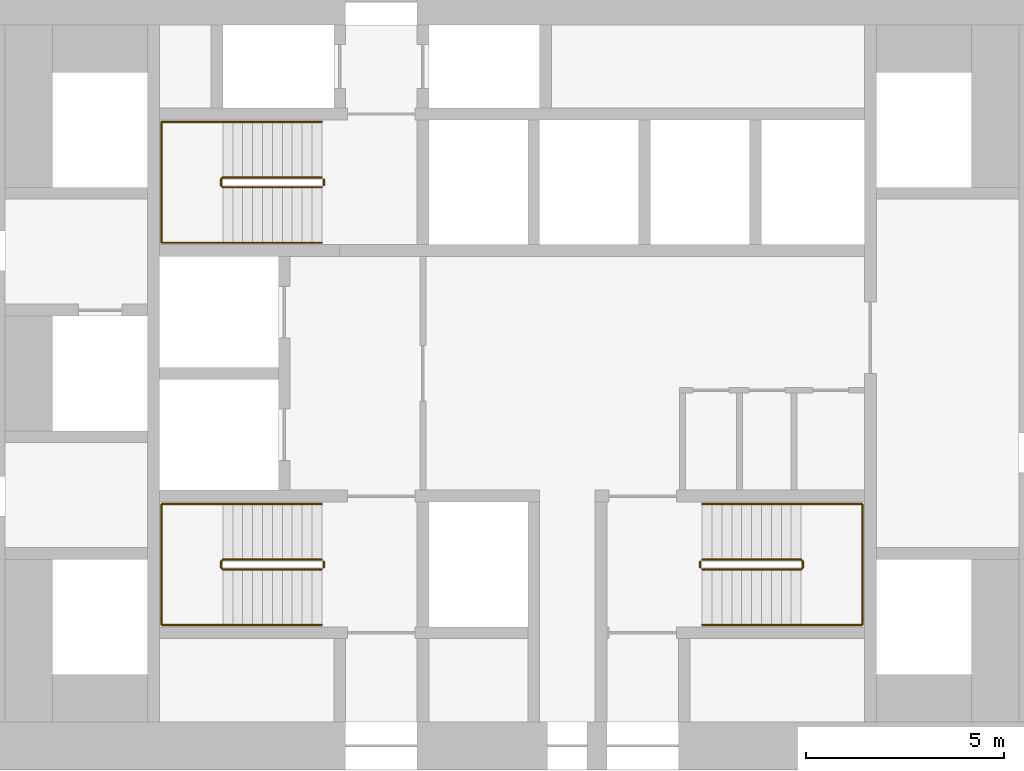
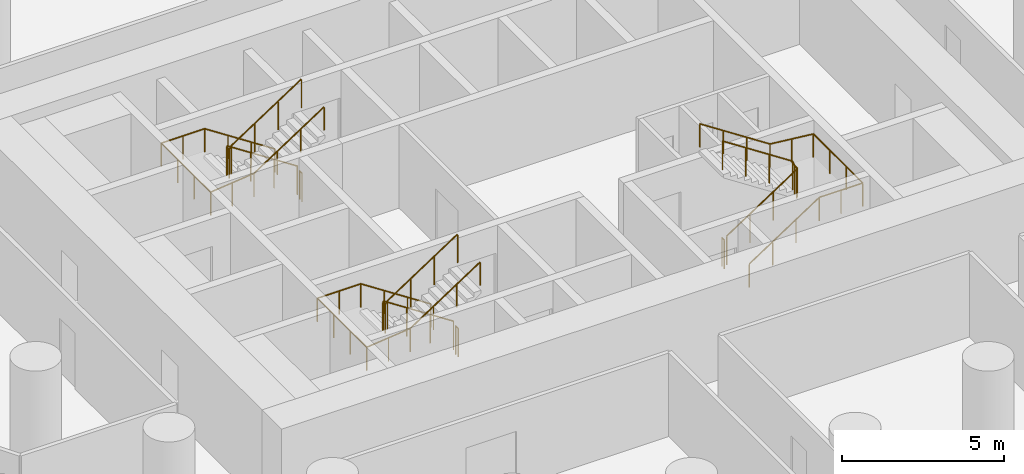
# One storey, part 12 of 12: 9 railings.
"""IFC4 building model written with IfcOpenShell, lengths in metres."""

import ifcopenshell
import ifcopenshell.guid

model = None  # the IFC model being written
_history = None  # IfcOwnerHistory: only IFC2X3 demands one
_inside = {}  # id of a spatial element -> (the spatial element, [elements in it])
_under = {}  # id of a project, library or spatial element -> (it, [spatial elements below it])
_declared = {}  # id of a project -> (the project, [libraries it declares])
_typed = {}  # id of a type object -> (the type object, [elements of that type])
_made_of = {}  # id of a material, layer set ... -> (it, [elements and type objects made of it])


def new_model(schema):
    """Start an empty IFC model of exactly this schema.

    Asked for "IFC4X3", IfcOpenShell would pick the latest addendum, in which some entities
    have other attributes; the version numbers below select the first issue.
    IFC2X3 requires an IfcOwnerHistory on every rooted entity: one is made here for all.
    """
    global model, _history
    if schema == "IFC4X3":
        model = ifcopenshell.file(schema_version=(4, 3, 0, 0))
    else:
        model = ifcopenshell.file(schema=schema)
    _inside.clear()
    _under.clear()
    _declared.clear()
    _typed.clear()
    _made_of.clear()
    _history = None
    if model.schema == "IFC2X3":
        org = make("IfcOrganization", Name="unknown")
        user = make(
            "IfcPersonAndOrganization",
            ThePerson=make("IfcPerson", FamilyName="unknown"),
            TheOrganization=org,
        )
        app = make(
            "IfcApplication",
            ApplicationDeveloper=org,
            Version="unknown",
            ApplicationFullName="unknown",
            ApplicationIdentifier="unknown",
        )
        _history = make(
            "IfcOwnerHistory",
            OwningUser=user,
            OwningApplication=app,
            ChangeAction="ADDED",
            CreationDate=0,
        )
    return model


def make(cls, **values):
    """One entity of the class cls with the attributes given. An attribute that is None is left unset."""
    return model.create_entity(
        cls, **{name: value for name, value in values.items() if value is not None}
    )


def rooted(cls, **values):
    """An entity with a GlobalId (a new one), such as an element, a storey or a relation."""
    return make(cls, GlobalId=ifcopenshell.guid.new(), OwnerHistory=_history, **values)


def si_unit(unit_type, name, prefix=None):
    """IfcSIUnit, for example si_unit("LENGTHUNIT", "METRE", prefix="MILLI")."""
    return make("IfcSIUnit", UnitType=unit_type, Prefix=prefix, Name=name)


def assignment(units):
    """IfcUnitAssignment: the units of a project."""
    return None if units is None else make("IfcUnitAssignment", Units=units)


def point(xyz):
    """IfcCartesianPoint."""
    return None if xyz is None else make("IfcCartesianPoint", Coordinates=xyz)


def direction(xyz):
    """IfcDirection."""
    return None if xyz is None else make("IfcDirection", DirectionRatios=xyz)


def frame(location, z_axis=None, x_axis=None):
    """IfcAxis2Placement3D, a coordinate frame: its origin and axes. An axis left out is left unset."""
    return make(
        "IfcAxis2Placement3D",
        Location=point(location),
        Axis=direction(z_axis),
        RefDirection=direction(x_axis),
    )


def frame_2d(location, x_axis=None):
    """IfcAxis2Placement2D, a coordinate frame in the plane: its origin and x axis."""
    return make(
        "IfcAxis2Placement2D", Location=point(location), RefDirection=direction(x_axis)
    )


def origin():
    """The frame at (0, 0, 0) with its axes left unset."""
    return frame((0.0, 0.0, 0.0))


def origin_2d():
    """The frame at (0, 0) in the plane with its x axis left unset."""
    return frame_2d((0.0, 0.0))


def place(relative_to, where):
    """IfcLocalPlacement: puts the frame where relative to a parent placement (None: the world)."""
    return make(
        "IfcLocalPlacement", PlacementRelTo=relative_to, RelativePlacement=where
    )


def context(
    kind, dimensions, precision=None, world=None, true_north=None, identifier=None
):
    """IfcGeometricRepresentationContext, for example the 3D "Model" context."""
    return make(
        "IfcGeometricRepresentationContext",
        ContextIdentifier=identifier,
        ContextType=kind,
        CoordinateSpaceDimension=dimensions,
        Precision=precision,
        WorldCoordinateSystem=world,
        TrueNorth=true_north,
    )


def subcontext(parent, identifier, kind, view, scale=None):
    """IfcGeometricRepresentationSubContext, for example "Body" below "Model"."""
    return make(
        "IfcGeometricRepresentationSubContext",
        ContextIdentifier=identifier,
        ContextType=kind,
        ParentContext=parent,
        TargetScale=scale,
        TargetView=view,
    )


def project(units=None, contexts=None):
    """IfcProject with its units and contexts."""
    return rooted(
        "IfcProject",
        Name="project",
        RepresentationContexts=contexts,
        UnitsInContext=assignment(units),
    )


def spatial(cls, under=None, at=None, **own):
    """A site, building, storey or space (cls), placed at a placement, below another one or the project."""
    s = rooted(cls, ObjectPlacement=at, **own)
    if under is not None:
        _under.setdefault(under.id(), (under, []))[1].append(s)
    return s


def profile(cls, at=None, kind="AREA", **sizes):
    """A parametric profile (cls). Its sizes go by their IFC names, for example OverallWidth=200.0."""
    return make(cls, ProfileType=kind, Position=at, **sizes)


def circle(**sizes):
    """IfcCircleProfileDef."""
    return profile("IfcCircleProfileDef", **sizes)


def extrude(swept, where, along, depth):
    """IfcExtrudedAreaSolid: the profile swept, set in the frame where, extruded along a direction by depth."""
    return make(
        "IfcExtrudedAreaSolid",
        SweptArea=swept,
        Position=where,
        ExtrudedDirection=direction(along),
        Depth=depth,
    )


def shape(context_of_items, identifier, shape_type, items):
    """IfcShapeRepresentation: the items that make up one representation, for example the "Body"."""
    return make(
        "IfcShapeRepresentation",
        ContextOfItems=context_of_items,
        RepresentationIdentifier=identifier,
        RepresentationType=shape_type,
        Items=items,
    )


def material(Name=None, Category=None):
    """IfcMaterial."""
    return make("IfcMaterial", Name=Name, Category=Category)


def made_of(thing, what):
    """Note that an element or type object is made of a material, layer set ...; save() writes the relation."""
    if what is not None:
        _made_of.setdefault(what.id(), (what, []))[1].append(thing)
    return thing


def type_object(cls, material=None, **own):
    """A type object (cls), such as IfcWallType, which elements share."""
    return made_of(rooted(cls, **own), material)


def element(
    cls,
    number,
    at=None,
    inside=None,
    cuts=None,
    type_object=None,
    material=None,
    context=None,
    identifier="Body",
    shape_type=None,
    held_by="IfcProductDefinitionShape",
    body=None,
    shapes=None,
    **own,
):
    """One element of the class cls, such as IfcWall. Its Tag is "e" and its number.

    at: its placement. inside: the storey or other place that contains it. cuts: it is an
    opening in that element (IfcRelVoidsElement). A single representation is given by context,
    identifier, shape_type and body (its items); several are given by shapes. held_by: the class
    of the entity that holds the representations. save() writes the other relations.
    """
    e = rooted(cls, Tag="e%d" % number, ObjectPlacement=at, **own)
    if body is not None:
        shapes = [shape(context, identifier, shape_type, body)]
    if shapes is not None:
        e.Representation = make(held_by, Representations=shapes)
    if inside is not None:
        _inside.setdefault(inside.id(), (inside, []))[1].append(e)
    if cuts is not None:
        rooted(
            "IfcRelVoidsElement", RelatingBuildingElement=cuts, RelatedOpeningElement=e
        )
    if type_object is not None:
        _typed.setdefault(type_object.id(), (type_object, []))[1].append(e)
    return made_of(e, material)


def aggregate(whole, parts):
    """IfcRelAggregates: a whole, such as a stair, and the parts it consists of."""
    return rooted("IfcRelAggregates", RelatingObject=whole, RelatedObjects=parts)


def save(model, path):
    """Write the relations noted so far, then the file.

    IfcRelAggregates (storeys below a building ...), IfcRelContainedInSpatialStructure (elements
    in a storey), IfcRelDefinesByType, IfcRelAssociatesMaterial and IfcRelDeclares: one each for
    every whole, place, type object, material and project.
    """
    for whole, parts in _under.values():
        aggregate(whole, parts)
    for where, things in _inside.values():
        rooted(
            "IfcRelContainedInSpatialStructure",
            RelatedElements=things,
            RelatingStructure=where,
        )
    for kind, things in _typed.values():
        rooted("IfcRelDefinesByType", RelatedObjects=things, RelatingType=kind)
    for what, things in _made_of.values():
        rooted("IfcRelAssociatesMaterial", RelatedObjects=things, RelatingMaterial=what)
    for by, libraries in _declared.values():
        rooted("IfcRelDeclares", RelatingContext=by, RelatedDefinitions=libraries)
    model.write(path)


model = new_model("IFC4")

# Units and contexts
model_context = context("Model", 3, precision=1e-05, world=origin(), true_north=direction((0.0, 1.0)))
body_context = subcontext(model_context, "Body", "Model", "MODEL_VIEW")
ifc_project = project(units=[si_unit("LENGTHUNIT", "METRE"), si_unit("AREAUNIT", "SQUARE_METRE"), si_unit("VOLUMEUNIT", "CUBIC_METRE"), si_unit("PLANEANGLEUNIT", "RADIAN"), si_unit("MASSUNIT", "GRAM", prefix="KILO")], contexts=[model_context])

# Site, building, storey
site_placement = place(None, origin())
site = spatial("IfcSite", under=ifc_project, at=site_placement, CompositionType="ELEMENT")
building_placement = place(site_placement, origin())
building = spatial("IfcBuilding", under=site, at=building_placement, Name="Tracery Tower", CompositionType="ELEMENT")
storey_placement = place(building_placement, frame((0.0, 0.0, 31.800048828125)))
storey = spatial("IfcBuildingStorey", under=building, at=storey_placement, Name="L06", CompositionType="ELEMENT", Elevation=31.800048828125)

# Railings
ifc_material_1 = material(Name="Stainless steel and laminated glass", Category="steel")
railing_type_1 = type_object("IfcRailingType", Name="Stair guard 1100", PredefinedType="GUARDRAIL", material=ifc_material_1)
railing_1_placement = place(storey_placement, frame((-4.800048828125, -4.699951171875, 0.16357421875)))
element("IfcRailing", 1, at=railing_1_placement, inside=storey, type_object=railing_type_1, Name="L06 stair ST1 guard 1", PredefinedType="GUARDRAIL", context=body_context, shape_type="SweptSolid", body=[
    extrude(circle(Radius=0.02392578125, at=origin_2d()), frame((0.0, 0.0, 1.076171875), z_axis=(-0.83668449804, 0.0, 0.54768517484), x_axis=(0.0, -1.0, 0.0)), (0.0, 0.0, 1.0), 2.988037109375),
    extrude(circle(Radius=0.02392578125, at=origin_2d()), frame((-2.5, 0.0, 2.71240234375), z_axis=(-0.707106781187, -0.707106781187, 0.0), x_axis=(0.707106781187, -0.707106781187, 0.0)), (0.0, 0.0, 1.0), 0.07080078125),
    extrude(circle(Radius=0.02392578125, at=origin_2d()), frame((-2.550048828125, -0.050048828125, 2.71240234375), z_axis=(0.0, -1.0, 0.0), x_axis=(1.0, 0.0, 0.0)), (0.0, 0.0, 1.0), 0.14990234375),
    extrude(circle(Radius=0.02392578125, at=origin_2d()), frame((-2.550048828125, -0.199951171875, 2.71240234375), z_axis=(0.280808744504, -0.280808744504, 0.917765164963), x_axis=(0.707106781187, 0.707106781187, 0.0)), (0.0, 0.0, 1.0), 0.17822265625),
    extrude(circle(Radius=0.02392578125, at=origin_2d()), frame((-2.5, -0.25, 2.8759765625), z_axis=(0.836721939367, 0.0, 0.547627972425), x_axis=(0.0, 1.0, 0.0)), (0.0, 0.0, 1.0), 2.98779296875),
    extrude(circle(Radius=0.02099609375, at=origin_2d()), origin(), (0.0, 0.0, 1.0), 1.052001953125),
    extrude(circle(Radius=0.02099609375, at=origin_2d()), frame((-0.833251953125, 0.0, 0.54541015625)), (0.0, 0.0, 1.0), 1.052001953125),
    extrude(circle(Radius=0.02099609375, at=origin_2d()), frame((-1.666748046875, 0.0, 1.091064453125)), (0.0, 0.0, 1.0), 1.052001953125),
    extrude(circle(Radius=0.02099609375, at=origin_2d()), frame((-2.5, 0.0, 1.636474609375)), (0.0, 0.0, 1.0), 1.052001953125),
    extrude(circle(Radius=0.02099609375, at=origin_2d()), frame((-2.550048828125, -0.050048828125, 1.636474609375)), (0.0, 0.0, 1.0), 1.052001953125),
    extrude(circle(Radius=0.02099609375, at=origin_2d()), frame((-2.550048828125, -0.199951171875, 1.636474609375)), (0.0, 0.0, 1.0), 1.052001953125),
    extrude(circle(Radius=0.02099609375, at=origin_2d()), frame((-2.5, -0.25, 1.800048828125)), (0.0, 0.0, 1.0), 1.052001953125),
    extrude(circle(Radius=0.02099609375, at=origin_2d()), frame((-1.666748046875, -0.25, 2.345458984375)), (0.0, 0.0, 1.0), 1.052001953125),
    extrude(circle(Radius=0.02099609375, at=origin_2d()), frame((-0.833251953125, -0.25, 2.890869140625)), (0.0, 0.0, 1.0), 1.052001953125),
    extrude(circle(Radius=0.02099609375, at=origin_2d()), frame((0.0, -0.25, 3.436279296875)), (0.0, 0.0, 1.0), 1.052001953125),
])
railing_2_placement = place(storey_placement, frame((-4.75, -4.75, 0.0)))
element("IfcRailing", 2, at=railing_2_placement, inside=storey, type_object=railing_type_1, Name="L06 stair ST1 guard 2", PredefinedType="GUARDRAIL", context=body_context, shape_type="SweptSolid", body=[
    extrude(circle(Radius=0.02392578125, at=origin_2d()), frame((0.0, 0.0, 1.076171875), z_axis=(0.0, -1.0, 0.0), x_axis=(1.0, 0.0, 0.0)), (0.0, 0.0, 1.0), 0.14990234375),
    extrude(circle(Radius=0.02099609375, at=origin_2d()), origin(), (0.0, 0.0, 1.0), 1.052001953125),
    extrude(circle(Radius=0.02099609375, at=origin_2d()), frame((0.0, -0.14990234375, 0.0)), (0.0, 0.0, 1.0), 1.052001953125),
])
railing_3_placement = place(storey_placement, frame((-4.800048828125, 4.949951171875, 0.16357421875)))
element("IfcRailing", 3, at=railing_3_placement, inside=storey, type_object=railing_type_1, Name="L06 stair ST3 guard 1", PredefinedType="GUARDRAIL", context=body_context, shape_type="SweptSolid", body=[
    extrude(circle(Radius=0.02392578125, at=origin_2d()), frame((0.0, 0.0, 1.076171875), z_axis=(-0.83668449804, 0.0, 0.54768517484), x_axis=(0.0, -1.0, 0.0)), (0.0, 0.0, 1.0), 2.988037109375),
    extrude(circle(Radius=0.02392578125, at=origin_2d()), frame((-2.5, 0.0, 2.71240234375), z_axis=(-0.707106781187, -0.707106781187, 0.0), x_axis=(0.707106781187, -0.707106781187, 0.0)), (0.0, 0.0, 1.0), 0.07080078125),
    extrude(circle(Radius=0.02392578125, at=origin_2d()), frame((-2.550048828125, -0.050048828125, 2.71240234375), z_axis=(0.0, -1.0, 0.0), x_axis=(1.0, 0.0, 0.0)), (0.0, 0.0, 1.0), 0.14990234375),
    extrude(circle(Radius=0.02392578125, at=origin_2d()), frame((-2.550048828125, -0.199951171875, 2.71240234375), z_axis=(0.280808744504, -0.280808744504, 0.917765164963), x_axis=(0.707106781187, 0.707106781187, 0.0)), (0.0, 0.0, 1.0), 0.17822265625),
    extrude(circle(Radius=0.02392578125, at=origin_2d()), frame((-2.5, -0.25, 2.8759765625), z_axis=(0.836721939367, 0.0, 0.547627972425), x_axis=(0.0, 1.0, 0.0)), (0.0, 0.0, 1.0), 2.98779296875),
    extrude(circle(Radius=0.02099609375, at=origin_2d()), origin(), (0.0, 0.0, 1.0), 1.052001953125),
    extrude(circle(Radius=0.02099609375, at=origin_2d()), frame((-0.833251953125, 0.0, 0.54541015625)), (0.0, 0.0, 1.0), 1.052001953125),
    extrude(circle(Radius=0.02099609375, at=origin_2d()), frame((-1.666748046875, 0.0, 1.091064453125)), (0.0, 0.0, 1.0), 1.052001953125),
    extrude(circle(Radius=0.02099609375, at=origin_2d()), frame((-2.5, 0.0, 1.636474609375)), (0.0, 0.0, 1.0), 1.052001953125),
    extrude(circle(Radius=0.02099609375, at=origin_2d()), frame((-2.550048828125, -0.050048828125, 1.636474609375)), (0.0, 0.0, 1.0), 1.052001953125),
    extrude(circle(Radius=0.02099609375, at=origin_2d()), frame((-2.550048828125, -0.199951171875, 1.636474609375)), (0.0, 0.0, 1.0), 1.052001953125),
    extrude(circle(Radius=0.02099609375, at=origin_2d()), frame((-2.5, -0.25, 1.800048828125)), (0.0, 0.0, 1.0), 1.052001953125),
    extrude(circle(Radius=0.02099609375, at=origin_2d()), frame((-1.666748046875, -0.25, 2.345458984375)), (0.0, 0.0, 1.0), 1.052001953125),
    extrude(circle(Radius=0.02099609375, at=origin_2d()), frame((-0.833251953125, -0.25, 2.890869140625)), (0.0, 0.0, 1.0), 1.052001953125),
    extrude(circle(Radius=0.02099609375, at=origin_2d()), frame((0.0, -0.25, 3.436279296875)), (0.0, 0.0, 1.0), 1.052001953125),
])
railing_4_placement = place(storey_placement, frame((-4.75, 4.89990234375, 0.0)))
element("IfcRailing", 4, at=railing_4_placement, inside=storey, type_object=railing_type_1, Name="L06 stair ST3 guard 2", PredefinedType="GUARDRAIL", context=body_context, shape_type="SweptSolid", body=[
    extrude(circle(Radius=0.02392578125, at=origin_2d()), frame((0.0, 0.0, 1.076171875), z_axis=(0.0, -1.0, 0.0), x_axis=(1.0, 0.0, 0.0)), (0.0, 0.0, 1.0), 0.14990234375),
    extrude(circle(Radius=0.02099609375, at=origin_2d()), origin(), (0.0, 0.0, 1.0), 1.052001953125),
    extrude(circle(Radius=0.02099609375, at=origin_2d()), frame((0.0, -0.14990234375, 0.0)), (0.0, 0.0, 1.0), 1.052001953125),
])
railing_5_placement = place(storey_placement, frame((4.800048828125, -4.949951171875, 0.16357421875)))
element("IfcRailing", 5, at=railing_5_placement, inside=storey, type_object=railing_type_1, Name="L06 stair ST2 guard 1", PredefinedType="GUARDRAIL", context=body_context, shape_type="SweptSolid", body=[
    extrude(circle(Radius=0.02392578125, at=origin_2d()), frame((0.0, 0.0, 1.076171875), z_axis=(0.83668449804, 0.0, 0.54768517484), x_axis=(0.0, 1.0, 0.0)), (0.0, 0.0, 1.0), 2.988037109375),
    extrude(circle(Radius=0.02392578125, at=origin_2d()), frame((2.5, 0.0, 2.71240234375), z_axis=(0.707106781187, 0.707106781187, 0.0), x_axis=(-0.707106781187, 0.707106781187, 0.0)), (0.0, 0.0, 1.0), 0.07080078125),
    extrude(circle(Radius=0.02392578125, at=origin_2d()), frame((2.550048828125, 0.050048828125, 2.71240234375), z_axis=(0.0, 1.0, 0.0), x_axis=(-1.0, 0.0, 0.0)), (0.0, 0.0, 1.0), 0.14990234375),
    extrude(circle(Radius=0.02392578125, at=origin_2d()), frame((2.550048828125, 0.199951171875, 2.71240234375), z_axis=(-0.280808744504, 0.280808744504, 0.917765164963), x_axis=(-0.707106781187, -0.707106781187, 0.0)), (0.0, 0.0, 1.0), 0.17822265625),
    extrude(circle(Radius=0.02392578125, at=origin_2d()), frame((2.5, 0.25, 2.8759765625), z_axis=(-0.836721939367, 0.0, 0.547627972425), x_axis=(0.0, -1.0, 0.0)), (0.0, 0.0, 1.0), 2.98779296875),
    extrude(circle(Radius=0.02099609375, at=origin_2d()), origin(), (0.0, 0.0, 1.0), 1.052001953125),
    extrude(circle(Radius=0.02099609375, at=origin_2d()), frame((0.833251953125, 0.0, 0.54541015625)), (0.0, 0.0, 1.0), 1.052001953125),
    extrude(circle(Radius=0.02099609375, at=origin_2d()), frame((1.666748046875, 0.0, 1.091064453125)), (0.0, 0.0, 1.0), 1.052001953125),
    extrude(circle(Radius=0.02099609375, at=origin_2d()), frame((2.5, 0.0, 1.636474609375)), (0.0, 0.0, 1.0), 1.052001953125),
    extrude(circle(Radius=0.02099609375, at=origin_2d()), frame((2.550048828125, 0.050048828125, 1.636474609375)), (0.0, 0.0, 1.0), 1.052001953125),
    extrude(circle(Radius=0.02099609375, at=origin_2d()), frame((2.550048828125, 0.199951171875, 1.636474609375)), (0.0, 0.0, 1.0), 1.052001953125),
    extrude(circle(Radius=0.02099609375, at=origin_2d()), frame((2.5, 0.25, 1.800048828125)), (0.0, 0.0, 1.0), 1.052001953125),
    extrude(circle(Radius=0.02099609375, at=origin_2d()), frame((1.666748046875, 0.25, 2.345458984375)), (0.0, 0.0, 1.0), 1.052001953125),
    extrude(circle(Radius=0.02099609375, at=origin_2d()), frame((0.833251953125, 0.25, 2.890869140625)), (0.0, 0.0, 1.0), 1.052001953125),
    extrude(circle(Radius=0.02099609375, at=origin_2d()), frame((0.0, 0.25, 3.436279296875)), (0.0, 0.0, 1.0), 1.052001953125),
])
railing_6_placement = place(storey_placement, frame((4.75, -4.89990234375, 0.0)))
element("IfcRailing", 6, at=railing_6_placement, inside=storey, type_object=railing_type_1, Name="L06 stair ST2 guard 2", PredefinedType="GUARDRAIL", context=body_context, shape_type="SweptSolid", body=[
    extrude(circle(Radius=0.02392578125, at=origin_2d()), frame((0.0, 0.0, 1.076171875), z_axis=(0.0, 1.0, 0.0), x_axis=(-1.0, 0.0, 0.0)), (0.0, 0.0, 1.0), 0.14990234375),
    extrude(circle(Radius=0.02099609375, at=origin_2d()), origin(), (0.0, 0.0, 1.0), 1.052001953125),
    extrude(circle(Radius=0.02099609375, at=origin_2d()), frame((0.0, 0.14990234375, 0.0)), (0.0, 0.0, 1.0), 1.052001953125),
])
ifc_material_2 = material(Name="Stainless steel and laminated glass", Category="steel")
railing_type_2 = type_object("IfcRailingType", Name="Stair handrail 900", PredefinedType="HANDRAIL", material=ifc_material_2)
railing_7_placement = place(storey_placement, frame((-4.800048828125, -3.300048828125, 0.16357421875)))
element("IfcRailing", 7, at=railing_7_placement, inside=storey, type_object=railing_type_2, Name="L06 stair ST1 handrail 1", PredefinedType="HANDRAIL", context=body_context, shape_type="SweptSolid", body=[
    extrude(circle(Radius=0.02392578125, at=origin_2d()), frame((0.0, 0.0, 0.8759765625), z_axis=(-0.83668449804, 0.0, 0.54768517484), x_axis=(0.0, -1.0, 0.0)), (0.0, 0.0, 1.0), 2.988037109375),
    extrude(circle(Radius=0.02392578125, at=origin_2d()), frame((-2.5, 0.0, 2.51220703125), z_axis=(-1.0, 0.0, 0.0), x_axis=(0.0, -1.0, 0.0)), (0.0, 0.0, 1.0), 1.550048828125),
    extrude(circle(Radius=0.02392578125, at=origin_2d()), frame((-4.050048828125, 0.0, 2.51220703125), z_axis=(0.0, -1.0, 0.0), x_axis=(1.0, 0.0, 0.0)), (0.0, 0.0, 1.0), 3.050048828125),
    extrude(circle(Radius=0.02392578125, at=origin_2d()), frame((-4.050048828125, -3.050048828125, 2.51220703125), z_axis=(0.994477953863, 0.0, 0.104945696817), x_axis=(0.0, 1.0, 0.0)), (0.0, 0.0, 1.0), 1.55859375),
    extrude(circle(Radius=0.02392578125, at=origin_2d()), frame((-2.5, -3.050048828125, 2.67578125), z_axis=(0.836721939367, 0.0, 0.547627972425), x_axis=(0.0, 1.0, 0.0)), (0.0, 0.0, 1.0), 2.98779296875),
    extrude(circle(Radius=0.02099609375, at=origin_2d()), origin(), (0.0, 0.0, 1.0), 0.851806640625),
    extrude(circle(Radius=0.02099609375, at=origin_2d()), frame((-0.833251953125, 0.0, 0.54541015625)), (0.0, 0.0, 1.0), 0.851806640625),
    extrude(circle(Radius=0.02099609375, at=origin_2d()), frame((-1.666748046875, 0.0, 1.091064453125)), (0.0, 0.0, 1.0), 0.851806640625),
    extrude(circle(Radius=0.02099609375, at=origin_2d()), frame((-2.5, 0.0, 1.636474609375)), (0.0, 0.0, 1.0), 0.851806640625),
    extrude(circle(Radius=0.02099609375, at=origin_2d()), frame((-3.27490234375, 0.0, 1.636474609375)), (0.0, 0.0, 1.0), 0.851806640625),
    extrude(circle(Radius=0.02099609375, at=origin_2d()), frame((-4.050048828125, 0.0, 1.636474609375)), (0.0, 0.0, 1.0), 0.851806640625),
    extrude(circle(Radius=0.02099609375, at=origin_2d()), frame((-4.050048828125, -1.0166015625, 1.636474609375)), (0.0, 0.0, 1.0), 0.851806640625),
    extrude(circle(Radius=0.02099609375, at=origin_2d()), frame((-4.050048828125, -2.033447265625, 1.636474609375)), (0.0, 0.0, 1.0), 0.851806640625),
    extrude(circle(Radius=0.02099609375, at=origin_2d()), frame((-4.050048828125, -3.050048828125, 1.636474609375)), (0.0, 0.0, 1.0), 0.851806640625),
    extrude(circle(Radius=0.02099609375, at=origin_2d()), frame((-3.27490234375, -3.050048828125, 1.71826171875)), (0.0, 0.0, 1.0), 0.851806640625),
    extrude(circle(Radius=0.02099609375, at=origin_2d()), frame((-2.5, -3.050048828125, 1.800048828125)), (0.0, 0.0, 1.0), 0.851806640625),
    extrude(circle(Radius=0.02099609375, at=origin_2d()), frame((-1.666748046875, -3.050048828125, 2.345458984375)), (0.0, 0.0, 1.0), 0.851806640625),
    extrude(circle(Radius=0.02099609375, at=origin_2d()), frame((-0.833251953125, -3.050048828125, 2.890869140625)), (0.0, 0.0, 1.0), 0.851806640625),
    extrude(circle(Radius=0.02099609375, at=origin_2d()), frame((0.0, -3.050048828125, 3.436279296875)), (0.0, 0.0, 1.0), 0.851806640625),
])
railing_8_placement = place(storey_placement, frame((-4.800048828125, 6.35009765625, 0.16357421875)))
element("IfcRailing", 8, at=railing_8_placement, inside=storey, type_object=railing_type_2, Name="L06 stair ST3 handrail 1", PredefinedType="HANDRAIL", context=body_context, shape_type="SweptSolid", body=[
    extrude(circle(Radius=0.02392578125, at=origin_2d()), frame((0.0, 0.0, 0.8759765625), z_axis=(-0.83668449804, 0.0, 0.54768517484), x_axis=(0.0, -1.0, 0.0)), (0.0, 0.0, 1.0), 2.988037109375),
    extrude(circle(Radius=0.02392578125, at=origin_2d()), frame((-2.5, 0.0, 2.51220703125), z_axis=(-1.0, 0.0, 0.0), x_axis=(0.0, -1.0, 0.0)), (0.0, 0.0, 1.0), 1.550048828125),
    extrude(circle(Radius=0.02392578125, at=origin_2d()), frame((-4.050048828125, 0.0, 2.51220703125), z_axis=(0.0, -1.0, 0.0), x_axis=(1.0, 0.0, 0.0)), (0.0, 0.0, 1.0), 3.050048828125),
    extrude(circle(Radius=0.02392578125, at=origin_2d()), frame((-4.050048828125, -3.050048828125, 2.51220703125), z_axis=(0.994477953863, 0.0, 0.104945696817), x_axis=(0.0, 1.0, 0.0)), (0.0, 0.0, 1.0), 1.55859375),
    extrude(circle(Radius=0.02392578125, at=origin_2d()), frame((-2.5, -3.050048828125, 2.67578125), z_axis=(0.836721939367, 0.0, 0.547627972425), x_axis=(0.0, 1.0, 0.0)), (0.0, 0.0, 1.0), 2.98779296875),
    extrude(circle(Radius=0.02099609375, at=origin_2d()), origin(), (0.0, 0.0, 1.0), 0.851806640625),
    extrude(circle(Radius=0.02099609375, at=origin_2d()), frame((-0.833251953125, 0.0, 0.54541015625)), (0.0, 0.0, 1.0), 0.851806640625),
    extrude(circle(Radius=0.02099609375, at=origin_2d()), frame((-1.666748046875, 0.0, 1.091064453125)), (0.0, 0.0, 1.0), 0.851806640625),
    extrude(circle(Radius=0.02099609375, at=origin_2d()), frame((-2.5, 0.0, 1.636474609375)), (0.0, 0.0, 1.0), 0.851806640625),
    extrude(circle(Radius=0.02099609375, at=origin_2d()), frame((-3.27490234375, 0.0, 1.636474609375)), (0.0, 0.0, 1.0), 0.851806640625),
    extrude(circle(Radius=0.02099609375, at=origin_2d()), frame((-4.050048828125, 0.0, 1.636474609375)), (0.0, 0.0, 1.0), 0.851806640625),
    extrude(circle(Radius=0.02099609375, at=origin_2d()), frame((-4.050048828125, -1.0166015625, 1.636474609375)), (0.0, 0.0, 1.0), 0.851806640625),
    extrude(circle(Radius=0.02099609375, at=origin_2d()), frame((-4.050048828125, -2.033447265625, 1.636474609375)), (0.0, 0.0, 1.0), 0.851806640625),
    extrude(circle(Radius=0.02099609375, at=origin_2d()), frame((-4.050048828125, -3.050048828125, 1.636474609375)), (0.0, 0.0, 1.0), 0.851806640625),
    extrude(circle(Radius=0.02099609375, at=origin_2d()), frame((-3.27490234375, -3.050048828125, 1.71826171875)), (0.0, 0.0, 1.0), 0.851806640625),
    extrude(circle(Radius=0.02099609375, at=origin_2d()), frame((-2.5, -3.050048828125, 1.800048828125)), (0.0, 0.0, 1.0), 0.851806640625),
    extrude(circle(Radius=0.02099609375, at=origin_2d()), frame((-1.666748046875, -3.050048828125, 2.345458984375)), (0.0, 0.0, 1.0), 0.851806640625),
    extrude(circle(Radius=0.02099609375, at=origin_2d()), frame((-0.833251953125, -3.050048828125, 2.890869140625)), (0.0, 0.0, 1.0), 0.851806640625),
    extrude(circle(Radius=0.02099609375, at=origin_2d()), frame((0.0, -3.050048828125, 3.436279296875)), (0.0, 0.0, 1.0), 0.851806640625),
])
railing_9_placement = place(storey_placement, frame((4.800048828125, -6.35009765625, 0.16357421875)))
element("IfcRailing", 9, at=railing_9_placement, inside=storey, type_object=railing_type_2, Name="L06 stair ST2 handrail 1", PredefinedType="HANDRAIL", context=body_context, shape_type="SweptSolid", body=[
    extrude(circle(Radius=0.02392578125, at=origin_2d()), frame((0.0, 0.0, 0.8759765625), z_axis=(0.83668449804, 0.0, 0.54768517484), x_axis=(0.0, 1.0, 0.0)), (0.0, 0.0, 1.0), 2.988037109375),
    extrude(circle(Radius=0.02392578125, at=origin_2d()), frame((2.5, 0.0, 2.51220703125), z_axis=(1.0, 0.0, 0.0), x_axis=(0.0, 1.0, 0.0)), (0.0, 0.0, 1.0), 1.550048828125),
    extrude(circle(Radius=0.02392578125, at=origin_2d()), frame((4.050048828125, 0.0, 2.51220703125), z_axis=(0.0, 1.0, 0.0), x_axis=(-1.0, 0.0, 0.0)), (0.0, 0.0, 1.0), 3.050048828125),
    extrude(circle(Radius=0.02392578125, at=origin_2d()), frame((4.050048828125, 3.050048828125, 2.51220703125), z_axis=(-0.994477953863, 0.0, 0.104945696817), x_axis=(0.0, -1.0, 0.0)), (0.0, 0.0, 1.0), 1.55859375),
    extrude(circle(Radius=0.02392578125, at=origin_2d()), frame((2.5, 3.050048828125, 2.67578125), z_axis=(-0.836721939367, 0.0, 0.547627972425), x_axis=(0.0, -1.0, 0.0)), (0.0, 0.0, 1.0), 2.98779296875),
    extrude(circle(Radius=0.02099609375, at=origin_2d()), origin(), (0.0, 0.0, 1.0), 0.851806640625),
    extrude(circle(Radius=0.02099609375, at=origin_2d()), frame((0.833251953125, 0.0, 0.54541015625)), (0.0, 0.0, 1.0), 0.851806640625),
    extrude(circle(Radius=0.02099609375, at=origin_2d()), frame((1.666748046875, 0.0, 1.091064453125)), (0.0, 0.0, 1.0), 0.851806640625),
    extrude(circle(Radius=0.02099609375, at=origin_2d()), frame((2.5, 0.0, 1.636474609375)), (0.0, 0.0, 1.0), 0.851806640625),
    extrude(circle(Radius=0.02099609375, at=origin_2d()), frame((3.27490234375, 0.0, 1.636474609375)), (0.0, 0.0, 1.0), 0.851806640625),
    extrude(circle(Radius=0.02099609375, at=origin_2d()), frame((4.050048828125, 0.0, 1.636474609375)), (0.0, 0.0, 1.0), 0.851806640625),
    extrude(circle(Radius=0.02099609375, at=origin_2d()), frame((4.050048828125, 1.0166015625, 1.636474609375)), (0.0, 0.0, 1.0), 0.851806640625),
    extrude(circle(Radius=0.02099609375, at=origin_2d()), frame((4.050048828125, 2.033447265625, 1.636474609375)), (0.0, 0.0, 1.0), 0.851806640625),
    extrude(circle(Radius=0.02099609375, at=origin_2d()), frame((4.050048828125, 3.050048828125, 1.636474609375)), (0.0, 0.0, 1.0), 0.851806640625),
    extrude(circle(Radius=0.02099609375, at=origin_2d()), frame((3.27490234375, 3.050048828125, 1.71826171875)), (0.0, 0.0, 1.0), 0.851806640625),
    extrude(circle(Radius=0.02099609375, at=origin_2d()), frame((2.5, 3.050048828125, 1.800048828125)), (0.0, 0.0, 1.0), 0.851806640625),
    extrude(circle(Radius=0.02099609375, at=origin_2d()), frame((1.666748046875, 3.050048828125, 2.345458984375)), (0.0, 0.0, 1.0), 0.851806640625),
    extrude(circle(Radius=0.02099609375, at=origin_2d()), frame((0.833251953125, 3.050048828125, 2.890869140625)), (0.0, 0.0, 1.0), 0.851806640625),
    extrude(circle(Radius=0.02099609375, at=origin_2d()), frame((0.0, 3.050048828125, 3.436279296875)), (0.0, 0.0, 1.0), 0.851806640625),
])

save(model, "model.ifc")
